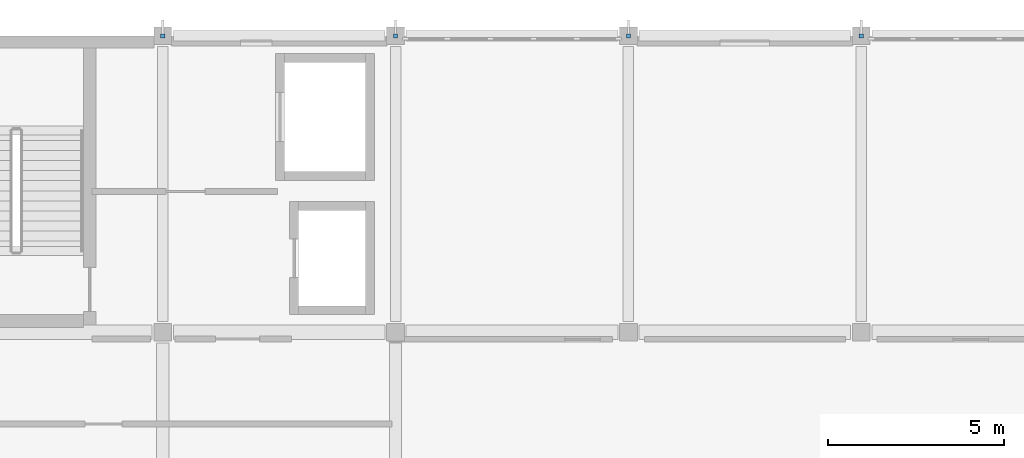
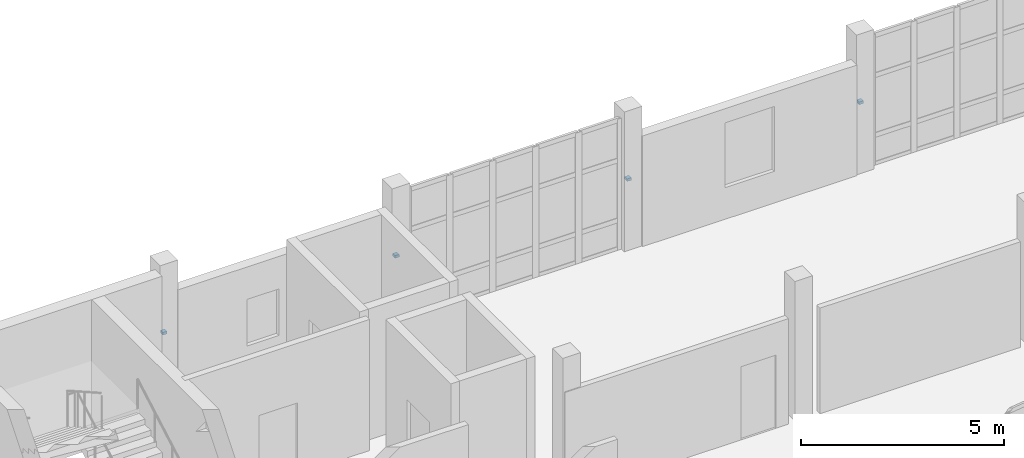
# One storey, part 67 of 78: 4 discrete accessories.
"""IFC4 building model written with IfcOpenShell, lengths in metres."""

from ifc_helpers import new_model, si_unit, direction, frame, origin, origin_2d, place, context, subcontext, project, spatial, rectangle, extrude, material, layer, layer_set, type_object, element, save


model = new_model("IFC4")

# Units and contexts
model_context = context("Model", 3, precision=1e-05, world=origin(), true_north=direction((0.0, 1.0)))
body_context = subcontext(model_context, "Body", "Model", "MODEL_VIEW")
ifc_project = project(units=[si_unit("LENGTHUNIT", "METRE"), si_unit("AREAUNIT", "SQUARE_METRE"), si_unit("VOLUMEUNIT", "CUBIC_METRE"), si_unit("PLANEANGLEUNIT", "RADIAN"), si_unit("MASSUNIT", "GRAM", prefix="KILO")], contexts=[model_context])

# Site, building, storey
site_placement = place(None, origin())
site = spatial("IfcSite", under=ifc_project, at=site_placement, CompositionType="ELEMENT")
building_placement = place(site_placement, origin())
building = spatial("IfcBuilding", under=site, at=building_placement, Name="Qaldarim Faculty of Natural and Applied Sciences", CompositionType="ELEMENT")
storey_placement = place(building_placement, frame((0.0, 0.0, 18.60009765625)))
storey = spatial("IfcBuildingStorey", under=building, at=storey_placement, Name="L04", CompositionType="ELEMENT", Elevation=18.60009765625)

# Discrete accessories
ifc_material = material(Name="Architectural stainless steel 316", Category="steel")
ifc_layer = layer(ifc_material, 0.080078125)
ifc_layer_set = layer_set([ifc_layer], Name="Architectural stainless steel 316")
discrete_accessory_type = type_object("IfcDiscreteAccessoryType", Name="FacadeBracket-SS120", PredefinedType="BRACKET", material=ifc_layer_set)
for number, where, z_axis, x_axis, name in (
    (1, (105.60009765625, 117.60009765625, 1.929931640625), (0.0, 0.0, 1.0), (1.0, 0.0, 0.0), "North fin bracket FIN-V4N-L04-X17"),
    (2, (112.199951171875, 117.60009765625, 1.929931640625), (0.0, 0.0, 1.0), (1.0, 0.0, 0.0), "North fin bracket FIN-V4N-L04-X18"),
    (3, (118.800048828125, 117.60009765625, 1.929931640625), (0.0, 0.0, 1.0), (1.0, 0.0, 0.0), "North fin bracket FIN-V4N-L04-X19"),
    (4, (125.39990234375, 117.60009765625, 1.929931640625), (0.0, 0.0, 1.0), (1.0, 0.0, 0.0), "North fin bracket FIN-V4N-L04-X20"),
):
    element("IfcDiscreteAccessory", number, at=place(storey_placement, frame(where, z_axis=z_axis, x_axis=x_axis)), inside=storey, type_object=discrete_accessory_type, Name=name, PredefinedType="BRACKET", context=body_context, shape_type="SweptSolid", body=[
        extrude(rectangle(XDim=0.1201171875, YDim=0.1201171875, at=origin_2d()), origin(), (0.0, 0.0, 1.0), 0.080078125),
    ])

save(model, "model.ifc")
